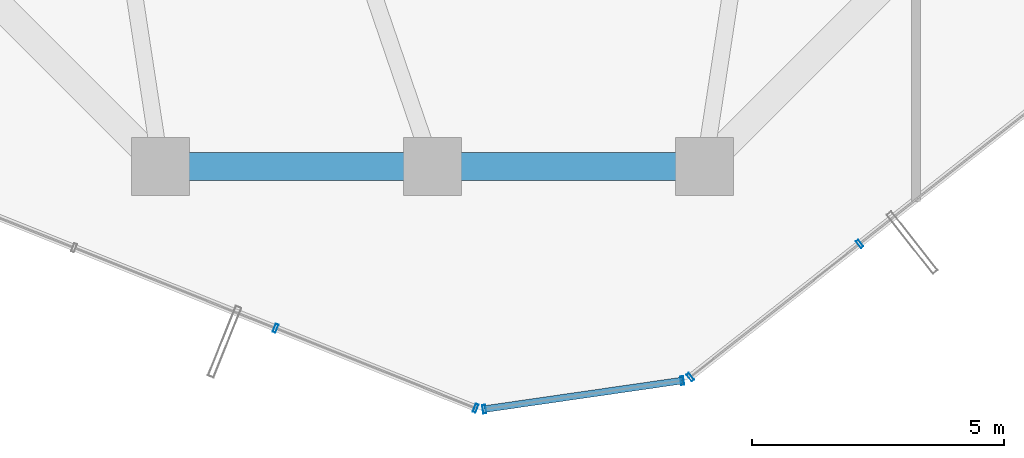
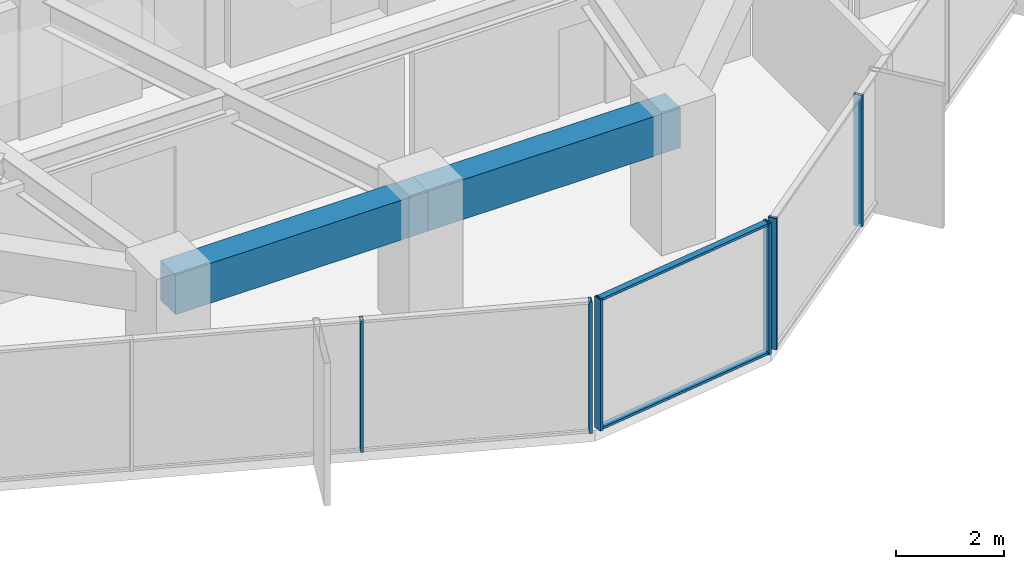
# One storey, part 6 of 34: 8 members, 2 beams, 3 elements without a shape of their own.
"""IFC4 building model written with IfcOpenShell, lengths in metres."""

from ifc_helpers import new_model, si_unit, direction, frame, origin, origin_2d, place, context, subcontext, project, spatial, rectangle, hollow_rectangle, extrude, source, transform, mapped, material, layer, layer_set, material_profile, profile_set, type_object, element, aggregate, save


model = new_model("IFC4")

# Units and contexts
model_context = context("Model", 3, precision=1e-05, world=origin(), true_north=direction((0.0, 1.0)))
body_context = subcontext(model_context, "Body", "Model", "MODEL_VIEW")
ifc_project = project(units=[si_unit("LENGTHUNIT", "METRE"), si_unit("AREAUNIT", "SQUARE_METRE"), si_unit("VOLUMEUNIT", "CUBIC_METRE"), si_unit("PLANEANGLEUNIT", "RADIAN"), si_unit("MASSUNIT", "GRAM", prefix="KILO")], contexts=[model_context])

# Site, building, storey
site_placement = place(None, origin())
site = spatial("IfcSite", under=ifc_project, at=site_placement, CompositionType="ELEMENT")
building_placement = place(site_placement, origin())
building = spatial("IfcBuilding", under=site, at=building_placement, Name="Veraguas Prism Commons", CompositionType="ELEMENT")
storey_placement = place(building_placement, frame((0.0, 0.0, 155.5)))
storey = spatial("IfcBuildingStorey", under=building, at=storey_placement, Name="L44", CompositionType="ELEMENT", Elevation=155.5)

# Beams
ifc_material_1 = material(Name="Concrete C50/60", Category="concrete")
ifc_material_profile_1 = material_profile(ifc_material_1, rectangle(XDim=0.550048828125, YDim=0.89990234375, at=origin_2d()), Name="RC550X900")
ifc_profile_set_1 = profile_set([ifc_material_profile_1], Name="Concrete C50/60")
beam_type = type_object("IfcBeamType", Name="Perimeter Spandrel Lower RC 550x900", PredefinedType="SPANDREL", material=ifc_profile_set_1)
for number, where, z_axis, x_axis, name in (
    (1, (18.60009765625, 7.800048828125, 2.52001953125), (1.0, 0.0, 0.0), (0.0, 1.0, 0.0), "Perimeter Spandrel Beam L44-SP10"),
    (2, (24.0, 7.800048828125, 2.52001953125), (1.0, 0.0, 0.0), (0.0, 1.0, 0.0), "Perimeter Spandrel Beam L44-SP11"),
):
    element("IfcBeam", number, at=place(storey_placement, frame(where, z_axis=z_axis, x_axis=x_axis)), inside=storey, type_object=beam_type, Name=name, PredefinedType="SPANDREL", context=body_context, shape_type="SweptSolid", body=[
        extrude(rectangle(XDim=0.550048828125, YDim=0.89990234375, at=origin_2d()), origin(), (0.0, 0.0, 1.0), 5.39990234375),
    ])

# Curtain wall, members
ifc_material_2 = material(Name="Anodised aluminium EN AW-6063 T6", Category="aluminium")
ifc_layer = layer(ifc_material_2, 0.169921875, Name="Unitised Flush Curtain Wall Zone 2", Category="aluminium")
ifc_layer_set = layer_set([ifc_layer], Name="Anodised aluminium EN AW-6063 T6")
curtain_wall_type = type_object("IfcCurtainWallType", Name="Unitised Flush Curtain Wall Zone 2", PredefinedType="NOTDEFINED", material=ifc_layer_set)
curtain_wall_1_placement = place(storey_placement, origin())
curtain_wall_1 = element("IfcCurtainWall", 3, at=curtain_wall_1_placement, inside=storey, type_object=curtain_wall_type, Name="Tower Facade Curtain Wall L44-F4", PredefinedType="NOTDEFINED")
ifc_material_profile_2 = material_profile(ifc_material_2, hollow_rectangle(XDim=0.06005859375, YDim=0.169921875, WallThickness=0.00390625, at=origin_2d()), Name="AL60X170X4")
ifc_profile_set_2 = profile_set([ifc_material_profile_2], Name="Anodised aluminium EN AW-6063 T6")
member_type_1 = type_object("IfcMemberType", Name="Curtain Wall Mullion Lower AL 60x170x4", PredefinedType="MULLION", material=ifc_profile_set_2)
shared_shape_1 = source(origin(), body_context, "Body", "SweptSolid", [
    extrude(hollow_rectangle(XDim=0.06005859375, YDim=0.169921875, WallThickness=0.00390625, at=origin_2d()), origin(), (0.0, 0.0, 1.0), 2.969970703125),
])
member_1_placement = place(storey_placement, frame((20.883544921875, 4.588134765625, 0.0), z_axis=(0.0, 0.0, 1.0), x_axis=(0.928617344909, -0.371038848013, 0.0)))
member_1 = element("IfcMember", 4, at=member_1_placement, type_object=member_type_1, Name="CW-Z2 Mullion 4", PredefinedType="MULLION", context=body_context, shape_type="MappedRepresentation", body=[
    mapped(shared_shape_1, transform((0.0, 0.0, 0.0), scale=1.0)),
])
member_2_placement = place(storey_placement, frame((24.856689453125, 3.000732421875, 0.0), z_axis=(0.0, 0.0, 1.0), x_axis=(0.928617344909, -0.371038848013, 0.0)))
member_2 = element("IfcMember", 5, at=member_2_placement, type_object=member_type_1, Name="CW-Z2 Mullion 5", PredefinedType="MULLION", context=body_context, shape_type="MappedRepresentation", body=[
    mapped(shared_shape_1, transform((0.0, 0.0, 0.0), scale=1.0)),
])
aggregate(curtain_wall_1, [member_1, member_2])

curtain_wall_2_placement = place(storey_placement, origin())
curtain_wall_2 = element("IfcCurtainWall", 6, at=curtain_wall_2_placement, inside=storey, type_object=curtain_wall_type, Name="Tower Facade Curtain Wall L44-F5", PredefinedType="NOTDEFINED")
member_3_placement = place(storey_placement, frame((29.121337890625, 3.61669921875, 0.0), z_axis=(0.0, 0.0, 1.0), x_axis=(0.785639900244, 0.618684044682, 0.0)))
member_3 = element("IfcMember", 7, at=member_3_placement, type_object=member_type_1, Name="CW-Z2 Mullion 1", PredefinedType="MULLION", context=body_context, shape_type="MappedRepresentation", body=[
    mapped(shared_shape_1, transform((0.0, 0.0, 0.0), scale=1.0)),
])
member_4_placement = place(storey_placement, frame((32.48291015625, 6.263671875, 0.0), z_axis=(0.0, 0.0, 1.0), x_axis=(0.785639900244, 0.618684044682, 0.0)))
member_4 = element("IfcMember", 8, at=member_4_placement, type_object=member_type_1, Name="CW-Z2 Mullion 2", PredefinedType="MULLION", context=body_context, shape_type="MappedRepresentation", body=[
    mapped(shared_shape_1, transform((0.0, 0.0, 0.0), scale=1.0)),
])
aggregate(curtain_wall_2, [member_3, member_4])

curtain_wall_3_placement = place(storey_placement, origin())
curtain_wall_3 = element("IfcCurtainWall", 9, at=curtain_wall_3_placement, inside=storey, type_object=curtain_wall_type, Name="Chamfer Curtain Wall L44-C5", PredefinedType="NOTDEFINED")
member_5_placement = place(storey_placement, frame((25.029296875, 2.980224609375, 0.0), z_axis=(0.0, 0.0, 1.0), x_axis=(0.989731124385, 0.142941601442, 0.0)))
member_5 = element("IfcMember", 10, at=member_5_placement, type_object=member_type_1, Name="CW-Z2 Mullion 1", PredefinedType="MULLION", context=body_context, shape_type="MappedRepresentation", body=[
    mapped(shared_shape_1, transform((0.0, 0.0, 0.0), scale=1.0)),
])
member_6_placement = place(storey_placement, frame((28.961669921875, 3.548095703125, 0.0), z_axis=(0.0, 0.0, 1.0), x_axis=(0.989731124385, 0.142941601442, 0.0)))
member_6 = element("IfcMember", 11, at=member_6_placement, type_object=member_type_1, Name="CW-Z2 Mullion 2", PredefinedType="MULLION", context=body_context, shape_type="MappedRepresentation", body=[
    mapped(shared_shape_1, transform((0.0, 0.0, 0.0), scale=1.0)),
])
ifc_material_profile_3 = material_profile(ifc_material_2, hollow_rectangle(XDim=0.054931640625, YDim=0.135009765625, WallThickness=0.0029296875, at=origin_2d()), Name="AL55X135X3")
ifc_profile_set_3 = profile_set([ifc_material_profile_3], Name="Anodised aluminium EN AW-6063 T6")
member_type_2 = type_object("IfcMemberType", Name="Curtain Wall Transom Standard AL 55x135x3", PredefinedType="USERDEFINED", material=ifc_profile_set_3)
shared_shape_2 = source(origin(), body_context, "Body", "SweptSolid", [
    extrude(hollow_rectangle(XDim=0.054931640625, YDim=0.135009765625, WallThickness=0.0029296875, at=origin_2d()), origin(), (0.0, 0.0, 1.0), 3.97314453125),
])
member_7_placement = place(storey_placement, frame((25.029296875, 2.980224609375, 0.027587890625), z_axis=(0.989733283046, 0.142926654024, 0.0), x_axis=(0.0, 0.0, 1.0)))
member_7 = element("IfcMember", 12, at=member_7_placement, type_object=member_type_2, Name="CW-Z2 Transom 1", ObjectType="TRANSOM", PredefinedType="USERDEFINED", context=body_context, shape_type="MappedRepresentation", body=[
    mapped(shared_shape_2, transform((0.0, 0.0, 0.0), scale=1.0)),
])
member_8_placement = place(storey_placement, frame((25.029296875, 2.980224609375, 2.9423828125), z_axis=(0.989733283046, 0.142926654024, 0.0), x_axis=(0.0, 0.0, 1.0)))
member_8 = element("IfcMember", 13, at=member_8_placement, type_object=member_type_2, Name="CW-Z2 Transom 2", ObjectType="TRANSOM", PredefinedType="USERDEFINED", context=body_context, shape_type="MappedRepresentation", body=[
    mapped(shared_shape_2, transform((0.0, 0.0, 0.0), scale=1.0)),
])
aggregate(curtain_wall_3, [member_5, member_6, member_7, member_8])

save(model, "model.ifc")
